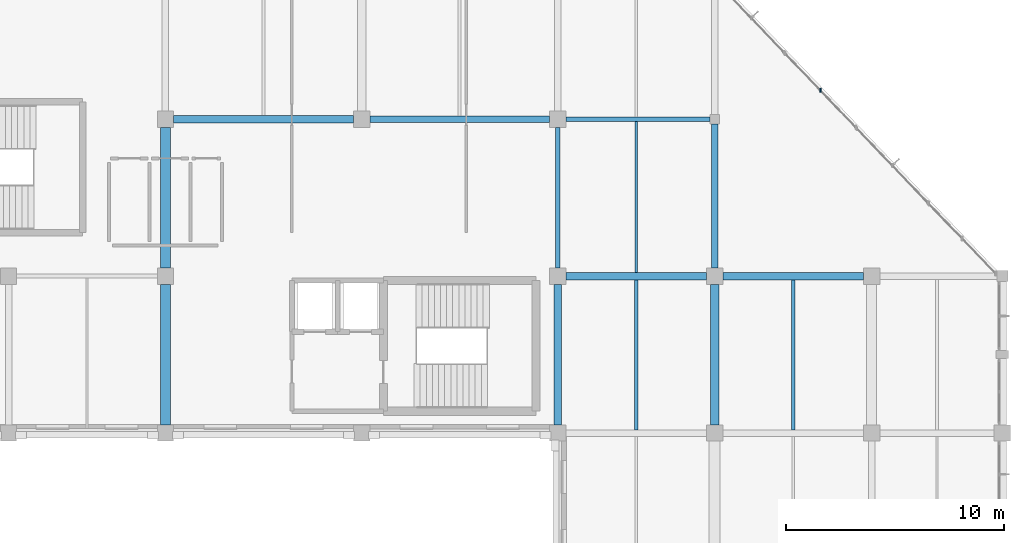
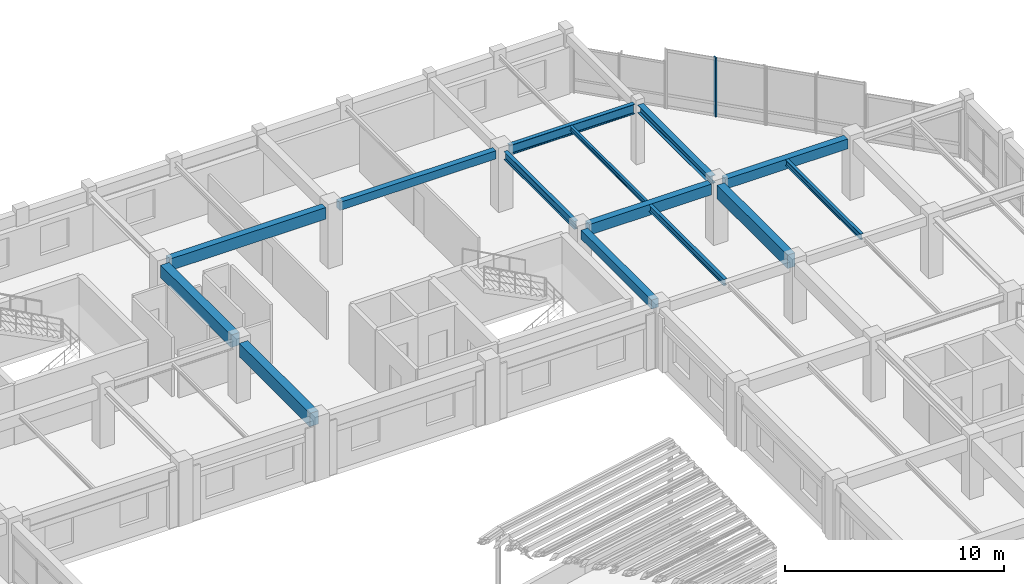
# One storey, part 37 of 74: 14 beams, 1 member, 1 element without a shape of its own.
"""IFC4 building model written with IfcOpenShell, lengths in metres."""

from ifc_helpers import new_model, si_unit, direction, frame, origin, origin_2d, place, context, subcontext, project, spatial, rectangle, i_section, extrude, material, material_profile, profile_set, type_object, element, aggregate, save


model = new_model("IFC4")

# Units and contexts
model_context = context("Model", 3, precision=1e-05, world=origin(), true_north=direction((0.0, 1.0)))
body_context = subcontext(model_context, "Body", "Model", "MODEL_VIEW")
ifc_project = project(units=[si_unit("LENGTHUNIT", "METRE"), si_unit("AREAUNIT", "SQUARE_METRE"), si_unit("VOLUMEUNIT", "CUBIC_METRE"), si_unit("PLANEANGLEUNIT", "RADIAN"), si_unit("MASSUNIT", "GRAM", prefix="KILO")], contexts=[model_context])

# Site, building, storey
site_placement = place(None, origin())
site = spatial("IfcSite", under=ifc_project, at=site_placement, CompositionType="ELEMENT")
building_placement = place(site_placement, origin())
building = spatial("IfcBuilding", under=site, at=building_placement, Name="Clarverna Civic Hall", CompositionType="ELEMENT")
storey_placement = place(building_placement, frame((0.0, 0.0, 13.199951171875)))
storey = spatial("IfcBuildingStorey", under=building, at=storey_placement, Name="L03", CompositionType="ELEMENT", Elevation=13.199951171875)

# Beams
ifc_material_1 = material(Name="Concrete C35/45", Category="concrete")
ifc_material_profile_1 = material_profile(ifc_material_1, rectangle(XDim=0.35009765625, YDim=0.5, at=origin_2d()), Name="RC 350x500")
ifc_profile_set_1 = profile_set([ifc_material_profile_1], Name="Concrete C35/45")
beam_type_1 = type_object("IfcBeamType", Name="B-RC10", PredefinedType="BEAM", material=ifc_profile_set_1)
beam_1_placement = place(storey_placement, frame((147.60009765625, 95.375, 3.070068359375), z_axis=(0.0, 1.0, 0.0), x_axis=(-1.0, 0.0, 0.0)))
element("IfcBeam", 1, at=beam_1_placement, inside=storey, type_object=beam_type_1, Name="B-RC10-031", PredefinedType="BEAM", context=body_context, shape_type="SweptSolid", body=[
    extrude(rectangle(XDim=0.35009765625, YDim=0.5, at=origin_2d()), origin(), (0.0, 0.0, 1.0), 6.449951171875),
])
ifc_material_profile_2 = material_profile(ifc_material_1, rectangle(XDim=0.39990234375, YDim=0.75, at=origin_2d()), Name="RC 400x750")
ifc_profile_set_2 = profile_set([ifc_material_profile_2], Name="Concrete C35/45")
beam_type_2 = type_object("IfcBeamType", Name="B-RC16", PredefinedType="BEAM", material=ifc_profile_set_2)
beam_2_placement = place(storey_placement, frame((154.800048828125, 95.375, 2.945068359375), z_axis=(0.0, 1.0, 0.0), x_axis=(-1.0, 0.0, 0.0)))
element("IfcBeam", 2, at=beam_2_placement, inside=storey, type_object=beam_type_2, Name="B-RC16-028", PredefinedType="BEAM", context=body_context, shape_type="SweptSolid", body=[
    extrude(rectangle(XDim=0.39990234375, YDim=0.75, at=origin_2d()), origin(), (0.0, 0.0, 1.0), 6.449951171875),
])
ifc_material_profile_3 = material_profile(ifc_material_1, rectangle(XDim=0.35009765625, YDim=0.64990234375, at=origin_2d()), Name="RC 350x650")
ifc_profile_set_3 = profile_set([ifc_material_profile_3], Name="Concrete C35/45")
beam_type_3 = type_object("IfcBeamType", Name="B-RC17", PredefinedType="BEAM", material=ifc_profile_set_3)
beam_3_placement = place(storey_placement, frame((129.97509765625, 109.39990234375, 2.9951171875), z_axis=(1.0, 0.0, 0.0), x_axis=(0.0, 1.0, 0.0)))
element("IfcBeam", 3, at=beam_3_placement, inside=storey, type_object=beam_type_3, Name="B-RC17-032", PredefinedType="BEAM", context=body_context, shape_type="SweptSolid", body=[
    extrude(rectangle(XDim=0.35009765625, YDim=0.64990234375, at=origin_2d()), origin(), (0.0, 0.0, 1.0), 8.25),
])
ifc_material_profile_4 = material_profile(ifc_material_1, rectangle(XDim=0.300048828125, YDim=0.449951171875, at=origin_2d()), Name="RC 300x450")
ifc_profile_set_4 = profile_set([ifc_material_profile_4], Name="Concrete C35/45")
beam_type_4 = type_object("IfcBeamType", Name="B-RC18", PredefinedType="BEAM", material=ifc_profile_set_4)
beam_4_placement = place(storey_placement, frame((138.97509765625, 109.39990234375, 3.094970703125), z_axis=(1.0, 0.0, 0.0), x_axis=(0.0, 1.0, 0.0)))
element("IfcBeam", 4, at=beam_4_placement, inside=storey, type_object=beam_type_4, Name="B-RC18-038", PredefinedType="BEAM", context=body_context, shape_type="SweptSolid", body=[
    extrude(rectangle(XDim=0.300048828125, YDim=0.449951171875, at=origin_2d()), origin(), (0.0, 0.0, 1.0), 8.25),
])
ifc_material_profile_5 = material_profile(ifc_material_1, rectangle(XDim=0.449951171875, YDim=0.75, at=origin_2d()), Name="RC 450x750")
ifc_profile_set_5 = profile_set([ifc_material_profile_5], Name="Concrete C35/45")
beam_type_5 = type_object("IfcBeamType", Name="B-RC3", PredefinedType="BEAM", material=ifc_profile_set_5)
beam_5_placement = place(storey_placement, frame((129.60009765625, 95.375, 2.945068359375), z_axis=(0.0, 1.0, 0.0), x_axis=(-1.0, 0.0, 0.0)))
element("IfcBeam", 5, at=beam_5_placement, inside=storey, type_object=beam_type_5, Name="B-RC3-036", PredefinedType="BEAM", context=body_context, shape_type="SweptSolid", body=[
    extrude(rectangle(XDim=0.449951171875, YDim=0.75, at=origin_2d()), origin(), (0.0, 0.0, 1.0), 6.449951171875),
])
ifc_material_profile_6 = material_profile(ifc_material_1, rectangle(XDim=0.449951171875, YDim=0.699951171875, at=origin_2d()), Name="RC 450x700")
ifc_profile_set_6 = profile_set([ifc_material_profile_6], Name="Concrete C35/45")
beam_type_6 = type_object("IfcBeamType", Name="B-RC4", PredefinedType="BEAM", material=ifc_profile_set_6)
beam_6_placement = place(storey_placement, frame((129.60009765625, 102.574951171875, 2.969970703125), z_axis=(0.0, 1.0, 0.0), x_axis=(-1.0, 0.0, 0.0)))
element("IfcBeam", 6, at=beam_6_placement, inside=storey, type_object=beam_type_6, Name="B-RC4-028", PredefinedType="BEAM", context=body_context, shape_type="SweptSolid", body=[
    extrude(rectangle(XDim=0.449951171875, YDim=0.699951171875, at=origin_2d()), origin(), (0.0, 0.0, 1.0), 6.449951171875),
])
ifc_material_profile_7 = material_profile(ifc_material_1, rectangle(XDim=0.35009765625, YDim=0.60009765625, at=origin_2d()), Name="RC 350x600")
ifc_profile_set_7 = profile_set([ifc_material_profile_7], Name="Concrete C35/45")
beam_type_7 = type_object("IfcBeamType", Name="B-RC8", PredefinedType="BEAM", material=ifc_profile_set_7)
beam_7_placement = place(storey_placement, frame((147.97509765625, 102.199951171875, 3.02001953125), z_axis=(1.0, 0.0, 0.0), x_axis=(0.0, 1.0, 0.0)))
element("IfcBeam", 7, at=beam_7_placement, inside=storey, type_object=beam_type_7, Name="B-RC8-027", PredefinedType="BEAM", context=body_context, shape_type="SweptSolid", body=[
    extrude(rectangle(XDim=0.35009765625, YDim=0.60009765625, at=origin_2d()), origin(), (0.0, 0.0, 1.0), 6.449951171875),
])
ifc_material_profile_8 = material_profile(ifc_material_1, rectangle(XDim=0.35009765625, YDim=0.550048828125, at=origin_2d()), Name="RC 350x550")
ifc_profile_set_8 = profile_set([ifc_material_profile_8], Name="Concrete C35/45")
beam_type_8 = type_object("IfcBeamType", Name="B-RC9", PredefinedType="BEAM", material=ifc_profile_set_8)
beam_8_placement = place(storey_placement, frame((155.175048828125, 102.199951171875, 3.045166015625), z_axis=(1.0, 0.0, 0.0), x_axis=(0.0, 1.0, 0.0)))
element("IfcBeam", 8, at=beam_8_placement, inside=storey, type_object=beam_type_8, Name="B-RC9-041", PredefinedType="BEAM", context=body_context, shape_type="SweptSolid", body=[
    extrude(rectangle(XDim=0.35009765625, YDim=0.550048828125, at=origin_2d()), origin(), (0.0, 0.0, 1.0), 6.449951171875),
])
ifc_material_2 = material(Name="Steel S355", Category="steel")
ifc_material_profile_9 = material_profile(ifc_material_2, i_section(OverallWidth=0.2099609375, OverallDepth=0.550048828125, WebThickness=0.010986328125, FlangeThickness=0.01708984375, FilletRadius=0.02392578125, at=origin_2d()), Name="IPE 550")
ifc_profile_set_9 = profile_set([ifc_material_profile_9], Name="Steel S355")
beam_type_9 = type_object("IfcBeamType", Name="B-ST11", PredefinedType="BEAM", material=ifc_profile_set_9)
beam_9_placement = place(storey_placement, frame((147.97509765625, 109.39990234375, 3.045166015625), z_axis=(1.0, 0.0, 0.0), x_axis=(0.0, 1.0, 0.0)))
element("IfcBeam", 9, at=beam_9_placement, inside=storey, type_object=beam_type_9, Name="B-ST11-015", PredefinedType="BEAM", context=body_context, shape_type="SweptSolid", body=[
    extrude(i_section(OverallWidth=0.2099609375, OverallDepth=0.550048828125, WebThickness=0.010986328125, FlangeThickness=0.01708984375, FilletRadius=0.02392578125, at=origin_2d()), origin(), (0.0, 0.0, 1.0), 6.599853515625),
])
ifc_material_profile_10 = material_profile(ifc_material_2, i_section(OverallWidth=0.18994140625, OverallDepth=0.449951171875, WebThickness=0.009521484375, FlangeThickness=0.0146484375, FilletRadius=0.02099609375, at=origin_2d()), Name="IPE 450")
ifc_profile_set_10 = profile_set([ifc_material_profile_10], Name="Steel S355")
beam_type_10 = type_object("IfcBeamType", Name="B-ST13", PredefinedType="BEAM", material=ifc_profile_set_10)
beam_10_placement = place(storey_placement, frame((147.60009765625, 102.574951171875, 3.094970703125), z_axis=(0.0, 1.0, 0.0), x_axis=(-1.0, 0.0, 0.0)))
element("IfcBeam", 10, at=beam_10_placement, inside=storey, type_object=beam_type_10, Name="B-ST13-018", PredefinedType="BEAM", context=body_context, shape_type="SweptSolid", body=[
    extrude(i_section(OverallWidth=0.18994140625, OverallDepth=0.449951171875, WebThickness=0.009521484375, FlangeThickness=0.0146484375, FilletRadius=0.02099609375, at=origin_2d()), origin(), (0.0, 0.0, 1.0), 6.449951171875),
])
ifc_material_profile_11 = material_profile(ifc_material_2, i_section(OverallWidth=0.300048828125, OverallDepth=0.43994140625, WebThickness=0.011474609375, FlangeThickness=0.02099609375, FilletRadius=0.027099609375, at=origin_2d()), Name="HEA 450")
ifc_profile_set_11 = profile_set([ifc_material_profile_11], Name="Steel S355")
beam_type_11 = type_object("IfcBeamType", Name="B-ST5", PredefinedType="BEAM", material=ifc_profile_set_11)
beam_11_placement = place(storey_placement, frame((154.800048828125, 102.574951171875, 3.10009765625), z_axis=(0.0, 1.0, 0.0), x_axis=(-1.0, 0.0, 0.0)))
element("IfcBeam", 11, at=beam_11_placement, inside=storey, type_object=beam_type_11, Name="B-ST5-112", PredefinedType="BEAM", context=body_context, shape_type="SweptSolid", body=[
    extrude(i_section(OverallWidth=0.300048828125, OverallDepth=0.43994140625, WebThickness=0.011474609375, FlangeThickness=0.02099609375, FilletRadius=0.027099609375, at=origin_2d()), origin(), (0.0, 0.0, 1.0), 6.60009765625),
])

# Curtain wall, member
ifc_material_3 = material(Name="Anodised Bronze Architectural Aluminium", Category="aluminium")
curtain_wall_type = type_object("IfcCurtainWallType", Name="CW-01", PredefinedType="USERDEFINED", material=ifc_material_3)
curtain_wall_placement = place(storey_placement, origin())
curtain_wall = element("IfcCurtainWall", 12, at=curtain_wall_placement, inside=storey, type_object=curtain_wall_type, Name="CW-01-065", ObjectType="UNITISED CURTAIN WALL", PredefinedType="USERDEFINED")
ifc_material_profile_12 = material_profile(ifc_material_3, rectangle(XDim=0.06005859375, YDim=0.179931640625, at=origin_2d()), Name="BRONZE 60x180")
ifc_profile_set_12 = profile_set([ifc_material_profile_12], Name="Anodised Bronze Architectural Aluminium")
member_type = type_object("IfcMemberType", Name="CWM-01", PredefinedType="MULLION", material=ifc_profile_set_12)
member_placement = place(storey_placement, frame((159.648681640625, 110.728271484375, 0.0), z_axis=(0.0, 0.0, 1.0), x_axis=(1.0, 0.0, 0.0)))
member = element("IfcMember", 13, at=member_placement, type_object=member_type, Name="CWM-01-126", PredefinedType="MULLION", context=body_context, shape_type="SweptSolid", body=[
    extrude(rectangle(XDim=0.06005859375, YDim=0.179931640625, at=origin_2d()), origin(), (0.0, 0.0, 1.0), 3.320068359375),
])
aggregate(curtain_wall, [member])

# Beams
ifc_material_profile_13 = material_profile(ifc_material_2, i_section(OverallWidth=0.169921875, OverallDepth=0.360107421875, WebThickness=0.008056640625, FlangeThickness=0.0126953125, FilletRadius=0.01806640625, at=origin_2d()), Name="IPE 360")
ifc_profile_set_13 = profile_set([ifc_material_profile_13], Name="Steel S355")
beam_type_12 = type_object("IfcBeamType", Name="J-ST1", PredefinedType="JOIST", material=ifc_profile_set_13)
beam_12_placement = place(storey_placement, frame((151.199951171875, 95.14990234375, 3.14013671875), z_axis=(0.0, 1.0, 0.0), x_axis=(-1.0, 0.0, 0.0)))
element("IfcBeam", 14, at=beam_12_placement, inside=storey, type_object=beam_type_12, Name="J-ST1-064", PredefinedType="JOIST", context=body_context, shape_type="SweptSolid", body=[
    extrude(i_section(OverallWidth=0.169921875, OverallDepth=0.360107421875, WebThickness=0.008056640625, FlangeThickness=0.0126953125, FilletRadius=0.01806640625, at=origin_2d()), origin(), (0.0, 0.0, 1.0), 6.875),
])
ifc_material_profile_14 = material_profile(ifc_material_2, i_section(OverallWidth=0.159912109375, OverallDepth=0.330078125, WebThickness=0.007568359375, FlangeThickness=0.011474609375, FilletRadius=0.01806640625, at=origin_2d()), Name="IPE 330")
ifc_profile_set_14 = profile_set([ifc_material_profile_14], Name="Steel S355")
beam_type_13 = type_object("IfcBeamType", Name="J-ST2", PredefinedType="JOIST", material=ifc_profile_set_14)
beam_13_placement = place(storey_placement, frame((158.39990234375, 95.14990234375, 3.155029296875), z_axis=(0.0, 1.0, 0.0), x_axis=(-1.0, 0.0, 0.0)))
element("IfcBeam", 15, at=beam_13_placement, inside=storey, type_object=beam_type_13, Name="J-ST2-065", PredefinedType="JOIST", context=body_context, shape_type="SweptSolid", body=[
    extrude(i_section(OverallWidth=0.159912109375, OverallDepth=0.330078125, WebThickness=0.007568359375, FlangeThickness=0.011474609375, FilletRadius=0.01806640625, at=origin_2d()), origin(), (0.0, 0.0, 1.0), 6.875),
])
ifc_material_profile_15 = material_profile(ifc_material_2, i_section(OverallWidth=0.135009765625, OverallDepth=0.27001953125, WebThickness=0.006591796875, FlangeThickness=0.01025390625, FilletRadius=0.014892578125, at=origin_2d()), Name="IPE 270")
ifc_profile_set_15 = profile_set([ifc_material_profile_15], Name="Steel S355")
beam_type_14 = type_object("IfcBeamType", Name="J-ST4", PredefinedType="JOIST", material=ifc_profile_set_15)
beam_14_placement = place(storey_placement, frame((151.199951171875, 102.375, 3.18505859375), z_axis=(0.0, 1.0, 0.0), x_axis=(-1.0, 0.0, 0.0)))
element("IfcBeam", 16, at=beam_14_placement, inside=storey, type_object=beam_type_14, Name="J-ST4-068", PredefinedType="JOIST", context=body_context, shape_type="SweptSolid", body=[
    extrude(i_section(OverallWidth=0.135009765625, OverallDepth=0.27001953125, WebThickness=0.006591796875, FlangeThickness=0.01025390625, FilletRadius=0.014892578125, at=origin_2d()), origin(), (0.0, 0.0, 1.0), 6.919921875),
])

save(model, "model.ifc")
